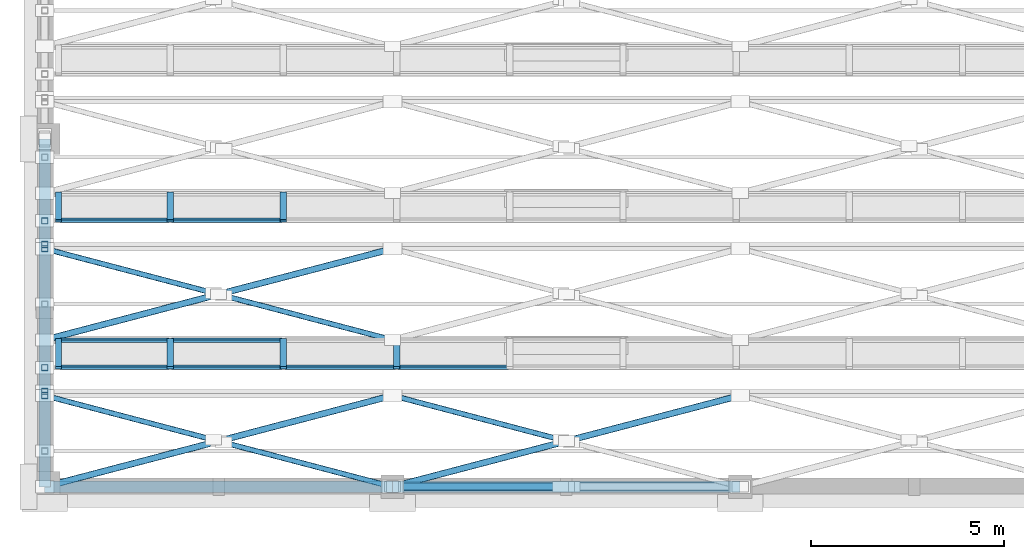
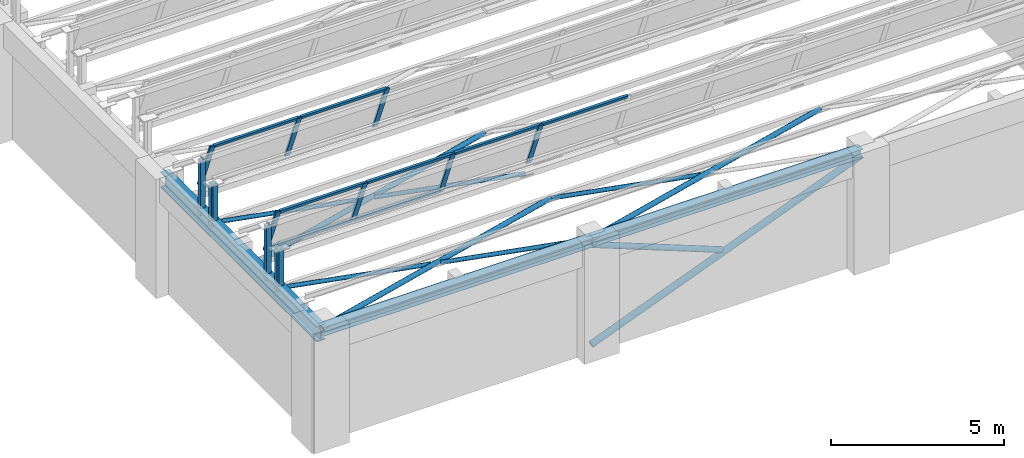
# One storey, part 15 of 108: 31 members, 3 beams, 2 elements without a shape of their own.
"""IFC4 building model written with IfcOpenShell, lengths in metres."""

from ifc_helpers import new_model, si_unit, direction, frame, origin, origin_2d, place, context, subcontext, project, spatial, hollow_rectangle, hollow_circle, i_section, extrude, material, material_profile, profile_set, type_object, element, aggregate, save


model = new_model("IFC4")

# Units and contexts
model_context = context("Model", 3, precision=1e-05, world=origin(), true_north=direction((0.0, 1.0)))
body_context = subcontext(model_context, "Body", "Model", "MODEL_VIEW")
ifc_project = project(units=[si_unit("LENGTHUNIT", "METRE"), si_unit("AREAUNIT", "SQUARE_METRE"), si_unit("VOLUMEUNIT", "CUBIC_METRE"), si_unit("PLANEANGLEUNIT", "RADIAN"), si_unit("MASSUNIT", "GRAM", prefix="KILO")], contexts=[model_context])

# Site, building, storey
site_placement = place(None, origin())
site = spatial("IfcSite", under=ifc_project, at=site_placement, CompositionType="ELEMENT")
building_placement = place(site_placement, origin())
building = spatial("IfcBuilding", under=site, at=building_placement, Name="Lykobir Media Centre", CompositionType="ELEMENT")
storey_placement = place(building_placement, frame((0.0, 0.0, 15.0)))
storey = spatial("IfcBuildingStorey", under=building, at=storey_placement, Name="L03", CompositionType="ELEMENT", Elevation=15.0)

# Beam
ifc_material_1 = material(Name="Steel S355", Category="steel")
ifc_material_profile_1 = material_profile(ifc_material_1, i_section(OverallWidth=0.300048828125, OverallDepth=0.550048828125, WebThickness=0.014892578125, FlangeThickness=0.029052734375, at=origin_2d()), Name="HEB 550")
ifc_profile_set_1 = profile_set([ifc_material_profile_1], Name="Steel S355")
beam_type_1 = type_object("IfcBeamType", Name="BM-SAW550-E", PredefinedType="BEAM", material=ifc_profile_set_1)
beam_placement = place(storey_placement, frame((0.0, 0.0, 3.675048828125), z_axis=(0.0, 1.0, 0.0), x_axis=(-1.0, 0.0, 0.0)))
element("IfcBeam", 1, at=beam_placement, inside=storey, type_object=beam_type_1, Name="Beam BM-L03-0000-0000-0000-0090-1868", PredefinedType="BEAM", context=body_context, shape_type="SweptSolid", body=[
    extrude(i_section(OverallWidth=0.300048828125, OverallDepth=0.550048828125, WebThickness=0.014892578125, FlangeThickness=0.029052734375, at=origin_2d()), origin(), (0.0, 0.0, 1.0), 9.0),
])

# Members
ifc_material_profile_2 = material_profile(ifc_material_1, hollow_circle(Radius=0.06982421875, WallThickness=0.008056640625, at=origin_2d()), Name="CHS 139.7x8.0")
ifc_profile_set_2 = profile_set([ifc_material_profile_2], Name="Steel S355")
member_type_1 = type_object("IfcMemberType", Name="BR-CHS140", PredefinedType="BRACE", material=ifc_profile_set_2)
for number, where, z_axis, x_axis, name in (
    (2, (9.0, 0.0, 3.840087890625), (-0.967266997824, 0.253760822274, 0.0), (-0.253760822274, -0.967266997824, 0.0), "Diagonal brace MEM2-L03-0090-0000-0188-0046-0011-0149"),
    (3, (4.364501953125, 1.216064453125, 3.840087890625), (-0.967253715929, 0.253811443834, 0.0), (-0.253811443834, -0.967253715929, 0.0), "Diagonal brace MEM2-L03-0044-0012-0188-0000-0024-0150"),
    (4, (13.364501953125, 1.216064453125, 3.840087890625), (-0.967253715929, 0.253811443834, 0.0), (-0.253811443834, -0.967253715929, 0.0), "Diagonal brace MEM2-L03-0134-0012-0188-0090-0024-0153"),
    (5, (9.0, 3.800048828125, 3.840087890625), (-0.967266997824, 0.253760822274, 0.0), (-0.253760822274, -0.967266997824, 0.0), "Diagonal brace MEM2-L03-0090-0038-0188-0046-0049-0169"),
    (6, (4.364501953125, 5.01611328125, 3.840087890625), (-0.967253715929, 0.253811443834, 0.0), (-0.253811443834, -0.967253715929, 0.0), "Diagonal brace MEM2-L03-0044-0050-0188-0000-0062-0170"),
):
    element("IfcMember", number, at=place(storey_placement, frame(where, z_axis=z_axis, x_axis=x_axis)), inside=storey, type_object=member_type_1, Name=name, PredefinedType="BRACE", context=body_context, shape_type="SweptSolid", body=[
        extrude(hollow_circle(Radius=0.06982421875, WallThickness=0.008056640625, at=origin_2d()), origin(), (0.0, 0.0, 1.0), 4.51220703125),
    ])
ifc_material_profile_3 = material_profile(ifc_material_1, hollow_circle(Radius=0.084228515625, WallThickness=0.010009765625, at=origin_2d()), Name="CHS 168.3x10.0")
ifc_profile_set_3 = profile_set([ifc_material_profile_3], Name="Steel S355")
member_type_2 = type_object("IfcMemberType", Name="BR-CHS168", PredefinedType="BRACE", material=ifc_profile_set_3)
for number, where, z_axis, x_axis, name in (
    (7, (0.0, 0.0, 3.840087890625), (0.967261887678, 0.253780299957, 0.0), (-0.253780299957, 0.967261887678, 0.0), "Diagonal brace MEM2-L03-0000-0000-0188-0090-0024-0148"),
    (8, (9.0, 0.0, 3.840087890625), (0.967261887678, 0.253780299957, 0.0), (-0.253780299957, 0.967261887678, 0.0), "Diagonal brace MEM2-L03-0090-0000-0188-0180-0024-0151"),
    (9, (0.0, 3.800048828125, 3.840087890625), (0.967261887678, 0.253780299957, 0.0), (-0.253780299957, 0.967261887678, 0.0), "Diagonal brace MEM2-L03-0000-0038-0188-0090-0062-0168"),
):
    element("IfcMember", number, at=place(storey_placement, frame(where, z_axis=z_axis, x_axis=x_axis)), inside=storey, type_object=member_type_2, Name=name, PredefinedType="BRACE", context=body_context, shape_type="SweptSolid", body=[
        extrude(hollow_circle(Radius=0.084228515625, WallThickness=0.010009765625, at=origin_2d()), origin(), (0.0, 0.0, 1.0), 9.3046875),
    ])
ifc_material_profile_4 = material_profile(ifc_material_1, hollow_circle(Radius=0.096923828125, WallThickness=0.010009765625, at=origin_2d()), Name="CHS 193.7x10.0")
ifc_profile_set_4 = profile_set([ifc_material_profile_4], Name="Steel S355")
member_type_3 = type_object("IfcMemberType", Name="BR-CHS194-E", PredefinedType="BRACE", material=ifc_profile_set_4)
member_1_placement = place(storey_placement, frame((13.35107421875, 0.0, 1.938232421875), z_axis=(-0.931310611003, 0.0, 0.364225954365), x_axis=(0.0, -1.0, 0.0)))
element("IfcMember", 10, at=member_1_placement, inside=storey, type_object=member_type_3, Name="Diagonal brace MEM2-L03-0134-0000-0169-0090-0000-0562", PredefinedType="BRACE", context=body_context, shape_type="SweptSolid", body=[
    extrude(hollow_circle(Radius=0.096923828125, WallThickness=0.010009765625, at=origin_2d()), origin(), (0.0, 0.0, 1.0), 4.671875),
])
ifc_material_profile_5 = material_profile(ifc_material_1, hollow_circle(Radius=0.109619140625, WallThickness=0.012451171875, at=origin_2d()), Name="CHS 219.1x12.5")
ifc_profile_set_5 = profile_set([ifc_material_profile_5], Name="Steel S355")
member_type_4 = type_object("IfcMemberType", Name="BR-CHS219-E", PredefinedType="BRACE", material=ifc_profile_set_5)
member_2_placement = place(storey_placement, frame((9.0, 0.0, 0.1201171875), z_axis=(0.931311719818, 0.0, 0.364223119158), x_axis=(0.0, 1.0, 0.0)))
element("IfcMember", 11, at=member_2_placement, inside=storey, type_object=member_type_4, Name="Diagonal brace MEM2-L03-0090-0000-0151-0180-0000-0560", PredefinedType="BRACE", context=body_context, shape_type="SweptSolid", body=[
    extrude(hollow_circle(Radius=0.109619140625, WallThickness=0.012451171875, at=origin_2d()), origin(), (0.0, 0.0, 1.0), 9.663818359375),
])
ifc_material_profile_6 = material_profile(ifc_material_1, hollow_rectangle(XDim=0.159912109375, YDim=0.159912109375, WallThickness=0.008056640625, at=origin_2d()), Name="SHS 160x160x8")
ifc_profile_set_6 = profile_set([ifc_material_profile_6], Name="Steel S355")
member_type_5 = type_object("IfcMemberType", Name="BR-SHS160-E", PredefinedType="BRACE", material=ifc_profile_set_6)
member_3_placement = place(storey_placement, frame((0.0, 3.081298828125, 3.699951171875), z_axis=(0.0, 0.0, 1.0), x_axis=(1.0, 0.0, 0.0)))
element("IfcMember", 12, at=member_3_placement, inside=storey, type_object=member_type_5, Name="Diagonal brace MEM2-L03-0000-0031-0187-0000-0031-0142", PredefinedType="BRACE", context=body_context, shape_type="SweptSolid", body=[
    extrude(hollow_rectangle(XDim=0.159912109375, YDim=0.159912109375, WallThickness=0.008056640625, at=origin_2d()), origin(), (0.0, 0.0, 1.0), 1.928955078125),
])
member_4_placement = place(storey_placement, frame((0.0, 2.361328125, 3.840087890625), z_axis=(0.0, 0.0, 1.0), x_axis=(1.0, 0.0, 0.0)))
element("IfcMember", 13, at=member_4_placement, inside=storey, type_object=member_type_5, Name="Diagonal brace MEM2-L03-0000-0024-0188-0000-0024-0144", PredefinedType="BRACE", context=body_context, shape_type="SweptSolid", body=[
    extrude(hollow_rectangle(XDim=0.159912109375, YDim=0.159912109375, WallThickness=0.008056640625, at=origin_2d()), origin(), (0.0, 0.0, 1.0), 1.4033203125),
])
member_5_placement = place(storey_placement, frame((0.0, 2.468017578125, 3.699951171875), z_axis=(0.0, 0.0, 1.0), x_axis=(1.0, 0.0, 0.0)))
element("IfcMember", 14, at=member_5_placement, inside=storey, type_object=member_type_5, Name="Diagonal brace MEM2-L03-0000-0025-0187-0000-0025-0159", PredefinedType="BRACE", context=body_context, shape_type="SweptSolid", body=[
    extrude(hollow_rectangle(XDim=0.159912109375, YDim=0.159912109375, WallThickness=0.008056640625, at=origin_2d()), origin(), (0.0, 0.0, 1.0), 1.472412109375),
])
member_6_placement = place(storey_placement, frame((0.0, 6.88134765625, 3.699951171875), z_axis=(0.0, 0.0, 1.0), x_axis=(1.0, 0.0, 0.0)))
element("IfcMember", 15, at=member_6_placement, inside=storey, type_object=member_type_5, Name="Diagonal brace MEM2-L03-0000-0069-0187-0000-0069-0162", PredefinedType="BRACE", context=body_context, shape_type="SweptSolid", body=[
    extrude(hollow_rectangle(XDim=0.159912109375, YDim=0.159912109375, WallThickness=0.008056640625, at=origin_2d()), origin(), (0.0, 0.0, 1.0), 1.928955078125),
])
member_7_placement = place(storey_placement, frame((0.0, 6.161376953125, 3.840087890625), z_axis=(0.0, 0.0, 1.0), x_axis=(1.0, 0.0, 0.0)))
element("IfcMember", 16, at=member_7_placement, inside=storey, type_object=member_type_5, Name="Diagonal brace MEM2-L03-0000-0062-0188-0000-0062-0164", PredefinedType="BRACE", context=body_context, shape_type="SweptSolid", body=[
    extrude(hollow_rectangle(XDim=0.159912109375, YDim=0.159912109375, WallThickness=0.008056640625, at=origin_2d()), origin(), (0.0, 0.0, 1.0), 1.4033203125),
])
member_8_placement = place(storey_placement, frame((0.0, 6.267822265625, 3.699951171875), z_axis=(0.0, 0.0, 1.0), x_axis=(1.0, 0.0, 0.0)))
element("IfcMember", 17, at=member_8_placement, inside=storey, type_object=member_type_5, Name="Diagonal brace MEM2-L03-0000-0063-0187-0000-0063-0179", PredefinedType="BRACE", context=body_context, shape_type="SweptSolid", body=[
    extrude(hollow_rectangle(XDim=0.159912109375, YDim=0.159912109375, WallThickness=0.008056640625, at=origin_2d()), origin(), (0.0, 0.0, 1.0), 1.472412109375),
])

# Curtain wall, members
ifc_material_2 = material(Name="Anodized Aluminium AW-6060", Category="aluminium")
curtain_wall_type = type_object("IfcCurtainWallType", Name="CW-NL-V1", PredefinedType="NOTDEFINED", material=ifc_material_2)
curtain_wall_1_placement = place(storey_placement, origin())
curtain_wall_1 = element("IfcCurtainWall", 18, at=curtain_wall_1_placement, inside=storey, type_object=curtain_wall_type, Name="Curtain wall CW-NL-V1-01", PredefinedType="NOTDEFINED")
ifc_material_profile_7 = material_profile(ifc_material_2, hollow_rectangle(XDim=0.070068359375, YDim=0.1650390625, WallThickness=0.00390625, at=origin_2d()), Name="ALU MULLION 70x165")
ifc_profile_set_7 = profile_set([ifc_material_profile_7], Name="Anodized Aluminium AW-6060")
member_type_6 = type_object("IfcMemberType", Name="CWM-165", PredefinedType="MULLION", material=ifc_profile_set_7)
member_9_placement = place(storey_placement, frame((0.35498046875, 3.800048828125, 4.199951171875), z_axis=(0.0, -0.374591377287, 0.927190002137), x_axis=(0.0, 0.927190002137, 0.374591377287)))
member_9 = element("IfcMember", 19, at=member_9_placement, type_object=member_type_6, Name="CW-NL-V1-01 mullion 1", PredefinedType="MULLION", context=body_context, shape_type="SweptSolid", body=[
    extrude(hollow_rectangle(XDim=0.070068359375, YDim=0.1650390625, WallThickness=0.00390625, at=origin_2d()), origin(), (0.0, 0.0, 1.0), 1.918701171875),
])
member_10_placement = place(storey_placement, frame((3.248779296875, 3.800048828125, 4.199951171875), z_axis=(0.0, -0.374591377287, 0.927190002137), x_axis=(0.0, 0.927190002137, 0.374591377287)))
member_10 = element("IfcMember", 20, at=member_10_placement, type_object=member_type_6, Name="CW-NL-V1-01 mullion 2", PredefinedType="MULLION", context=body_context, shape_type="SweptSolid", body=[
    extrude(hollow_rectangle(XDim=0.070068359375, YDim=0.1650390625, WallThickness=0.00390625, at=origin_2d()), origin(), (0.0, 0.0, 1.0), 1.918701171875),
])
member_11_placement = place(storey_placement, frame((6.177734375, 3.800048828125, 4.199951171875), z_axis=(0.0, -0.374591377287, 0.927190002137), x_axis=(0.0, 0.927190002137, 0.374591377287)))
member_11 = element("IfcMember", 21, at=member_11_placement, type_object=member_type_6, Name="CW-NL-V1-01 mullion 3", PredefinedType="MULLION", context=body_context, shape_type="SweptSolid", body=[
    extrude(hollow_rectangle(XDim=0.070068359375, YDim=0.1650390625, WallThickness=0.00390625, at=origin_2d()), origin(), (0.0, 0.0, 1.0), 1.918701171875),
])
member_12_placement = place(storey_placement, frame((9.106689453125, 3.800048828125, 4.199951171875), z_axis=(0.0, -0.374591377287, 0.927190002137), x_axis=(0.0, 0.927190002137, 0.374591377287)))
member_12 = element("IfcMember", 22, at=member_12_placement, type_object=member_type_6, Name="CW-NL-V1-01 mullion 4", PredefinedType="MULLION", context=body_context, shape_type="SweptSolid", body=[
    extrude(hollow_rectangle(XDim=0.070068359375, YDim=0.1650390625, WallThickness=0.00390625, at=origin_2d()), origin(), (0.0, 0.0, 1.0), 1.918701171875),
])

curtain_wall_2_placement = place(storey_placement, origin())
curtain_wall_2 = element("IfcCurtainWall", 23, at=curtain_wall_2_placement, inside=storey, type_object=curtain_wall_type, Name="Curtain wall CW-NL-V1-02", PredefinedType="NOTDEFINED")
member_13_placement = place(storey_placement, frame((0.35498046875, 7.60009765625, 4.199951171875), z_axis=(0.0, -0.374700754386, 0.927145805504), x_axis=(0.0, 0.927145805504, 0.374700754386)))
member_13 = element("IfcMember", 24, at=member_13_placement, type_object=member_type_6, Name="CW-NL-V1-02 mullion 1", PredefinedType="MULLION", context=body_context, shape_type="SweptSolid", body=[
    extrude(hollow_rectangle(XDim=0.070068359375, YDim=0.1650390625, WallThickness=0.00390625, at=origin_2d()), origin(), (0.0, 0.0, 1.0), 1.9189453125),
])
member_14_placement = place(storey_placement, frame((3.248779296875, 7.60009765625, 4.199951171875), z_axis=(0.0, -0.374700754386, 0.927145805504), x_axis=(0.0, 0.927145805504, 0.374700754386)))
member_14 = element("IfcMember", 25, at=member_14_placement, type_object=member_type_6, Name="CW-NL-V1-02 mullion 2", PredefinedType="MULLION", context=body_context, shape_type="SweptSolid", body=[
    extrude(hollow_rectangle(XDim=0.070068359375, YDim=0.1650390625, WallThickness=0.00390625, at=origin_2d()), origin(), (0.0, 0.0, 1.0), 1.9189453125),
])
member_15_placement = place(storey_placement, frame((6.177734375, 7.60009765625, 4.199951171875), z_axis=(0.0, -0.374700754386, 0.927145805504), x_axis=(0.0, 0.927145805504, 0.374700754386)))
member_15 = element("IfcMember", 26, at=member_15_placement, type_object=member_type_6, Name="CW-NL-V1-02 mullion 3", PredefinedType="MULLION", context=body_context, shape_type="SweptSolid", body=[
    extrude(hollow_rectangle(XDim=0.070068359375, YDim=0.1650390625, WallThickness=0.00390625, at=origin_2d()), origin(), (0.0, 0.0, 1.0), 1.9189453125),
])

# Member
ifc_material_profile_8 = material_profile(ifc_material_2, hollow_rectangle(XDim=0.070068359375, YDim=0.135009765625, WallThickness=0.00341796875, at=origin_2d()), Name="ALU TRANSOM 70x135")
ifc_profile_set_8 = profile_set([ifc_material_profile_8], Name="Anodized Aluminium AW-6060")
member_type_7 = type_object("IfcMemberType", Name="CWT-135", PredefinedType="USERDEFINED", material=ifc_profile_set_8)
member_16_placement = place(storey_placement, frame((0.389892578125, 3.786865234375, 4.232421875), z_axis=(1.0, 0.0, 0.0), x_axis=(0.0, 0.927183854567, 0.374606593416)))
member_16 = element("IfcMember", 27, at=member_16_placement, type_object=member_type_7, Name="CW-NL-V1-01 transom 1.1", ObjectType="TRANSOM", PredefinedType="USERDEFINED", context=body_context, shape_type="SweptSolid", body=[
    extrude(hollow_rectangle(XDim=0.070068359375, YDim=0.135009765625, WallThickness=0.00341796875, at=origin_2d()), origin(), (0.0, 0.0, 1.0), 2.823974609375),
])

member_17_placement = place(storey_placement, frame((0.389892578125, 3.094482421875, 5.946533203125), z_axis=(1.0, 0.0, 0.0), x_axis=(0.0, 0.927183854567, 0.374606593416)))
member_17 = element("IfcMember", 28, at=member_17_placement, type_object=member_type_7, Name="CW-NL-V1-01 transom 1.2", ObjectType="TRANSOM", PredefinedType="USERDEFINED", context=body_context, shape_type="SweptSolid", body=[
    extrude(hollow_rectangle(XDim=0.070068359375, YDim=0.135009765625, WallThickness=0.00341796875, at=origin_2d()), origin(), (0.0, 0.0, 1.0), 2.823974609375),
])

member_18_placement = place(storey_placement, frame((3.283935546875, 3.786865234375, 4.232421875), z_axis=(1.0, 0.0, 0.0), x_axis=(0.0, 0.927183854567, 0.374606593416)))
member_18 = element("IfcMember", 29, at=member_18_placement, type_object=member_type_7, Name="CW-NL-V1-01 transom 2.1", ObjectType="TRANSOM", PredefinedType="USERDEFINED", context=body_context, shape_type="SweptSolid", body=[
    extrude(hollow_rectangle(XDim=0.070068359375, YDim=0.135009765625, WallThickness=0.00341796875, at=origin_2d()), origin(), (0.0, 0.0, 1.0), 2.85888671875),
])

member_19_placement = place(storey_placement, frame((3.283935546875, 3.094482421875, 5.946533203125), z_axis=(1.0, 0.0, 0.0), x_axis=(0.0, 0.927183854567, 0.374606593416)))
member_19 = element("IfcMember", 30, at=member_19_placement, type_object=member_type_7, Name="CW-NL-V1-01 transom 2.2", ObjectType="TRANSOM", PredefinedType="USERDEFINED", context=body_context, shape_type="SweptSolid", body=[
    extrude(hollow_rectangle(XDim=0.070068359375, YDim=0.135009765625, WallThickness=0.00341796875, at=origin_2d()), origin(), (0.0, 0.0, 1.0), 2.85888671875),
])

member_20_placement = place(storey_placement, frame((6.212890625, 3.094482421875, 5.946533203125), z_axis=(1.0, 0.0, 0.0), x_axis=(0.0, 0.927183854567, 0.374606593416)))
member_20 = element("IfcMember", 31, at=member_20_placement, type_object=member_type_7, Name="CW-NL-V1-01 transom 3.2", ObjectType="TRANSOM", PredefinedType="USERDEFINED", context=body_context, shape_type="SweptSolid", body=[
    extrude(hollow_rectangle(XDim=0.070068359375, YDim=0.135009765625, WallThickness=0.00341796875, at=origin_2d()), origin(), (0.0, 0.0, 1.0), 2.85888671875),
])

member_21_placement = place(storey_placement, frame((9.1416015625, 3.094482421875, 5.946533203125), z_axis=(1.0, 0.0, 0.0), x_axis=(0.0, 0.927183854567, 0.374606593416)))
member_21 = element("IfcMember", 32, at=member_21_placement, type_object=member_type_7, Name="CW-NL-V1-01 transom 4.2", ObjectType="TRANSOM", PredefinedType="USERDEFINED", context=body_context, shape_type="SweptSolid", body=[
    extrude(hollow_rectangle(XDim=0.070068359375, YDim=0.135009765625, WallThickness=0.00341796875, at=origin_2d()), origin(), (0.0, 0.0, 1.0), 2.85888671875),
])

aggregate(curtain_wall_1, [member_9, member_10, member_11, member_12, member_16, member_17, member_18, member_19, member_20, member_21])

member_22_placement = place(storey_placement, frame((0.389892578125, 6.894287109375, 5.946533203125), z_axis=(1.0, 0.0, 0.0), x_axis=(0.0, 0.927183854567, 0.374606593416)))
member_22 = element("IfcMember", 33, at=member_22_placement, type_object=member_type_7, Name="CW-NL-V1-02 transom 1.2", ObjectType="TRANSOM", PredefinedType="USERDEFINED", context=body_context, shape_type="SweptSolid", body=[
    extrude(hollow_rectangle(XDim=0.070068359375, YDim=0.135009765625, WallThickness=0.00341796875, at=origin_2d()), origin(), (0.0, 0.0, 1.0), 2.823974609375),
])

member_23_placement = place(storey_placement, frame((3.283935546875, 6.894287109375, 5.946533203125), z_axis=(1.0, 0.0, 0.0), x_axis=(0.0, 0.927183854567, 0.374606593416)))
member_23 = element("IfcMember", 34, at=member_23_placement, type_object=member_type_7, Name="CW-NL-V1-02 transom 2.2", ObjectType="TRANSOM", PredefinedType="USERDEFINED", context=body_context, shape_type="SweptSolid", body=[
    extrude(hollow_rectangle(XDim=0.070068359375, YDim=0.135009765625, WallThickness=0.00341796875, at=origin_2d()), origin(), (0.0, 0.0, 1.0), 2.85888671875),
])

aggregate(curtain_wall_2, [member_13, member_14, member_15, member_22, member_23])

# Beams
ifc_material_profile_9 = material_profile(ifc_material_1, i_section(OverallWidth=0.300048828125, OverallDepth=0.31005859375, WebThickness=0.009033203125, FlangeThickness=0.015380859375, at=origin_2d()), Name="HEA 320")
ifc_profile_set_9 = profile_set([ifc_material_profile_9], Name="Steel S355")
beam_type_2 = type_object("IfcBeamType", Name="SP-HEA320-E", PredefinedType="SPANDREL", material=ifc_profile_set_9)
for number, where, z_axis, x_axis, name in (
    (35, (0.0, 0.0, 3.794921875), (1.0, 0.0, 0.0), (0.0, 1.0, 0.0), "Beam BM-L03-0000-0000-0090-0000-1880"),
    (36, (9.0, 0.0, 3.794921875), (1.0, 0.0, 0.0), (0.0, 1.0, 0.0), "Beam BM-L03-0090-0000-0180-0000-1880"),
):
    element("IfcBeam", number, at=place(storey_placement, frame(where, z_axis=z_axis, x_axis=x_axis)), inside=storey, type_object=beam_type_2, Name=name, PredefinedType="SPANDREL", context=body_context, shape_type="SweptSolid", body=[
        extrude(i_section(OverallWidth=0.300048828125, OverallDepth=0.31005859375, WebThickness=0.009033203125, FlangeThickness=0.015380859375, at=origin_2d()), origin(), (0.0, 0.0, 1.0), 9.0),
    ])

save(model, "model.ifc")
